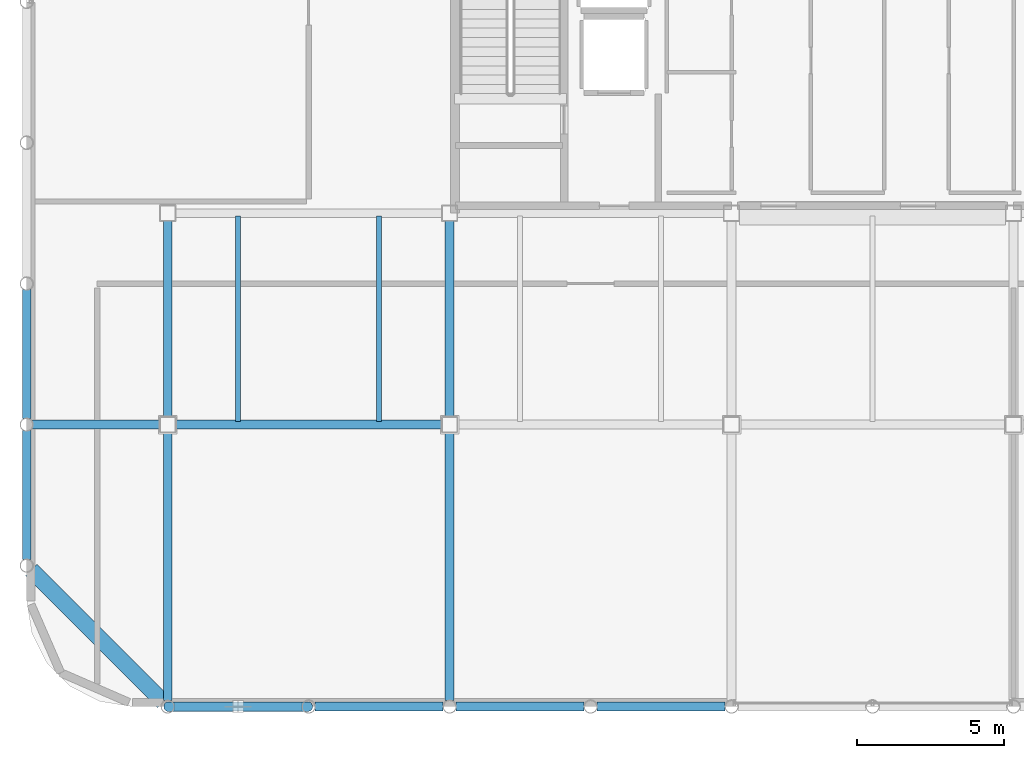
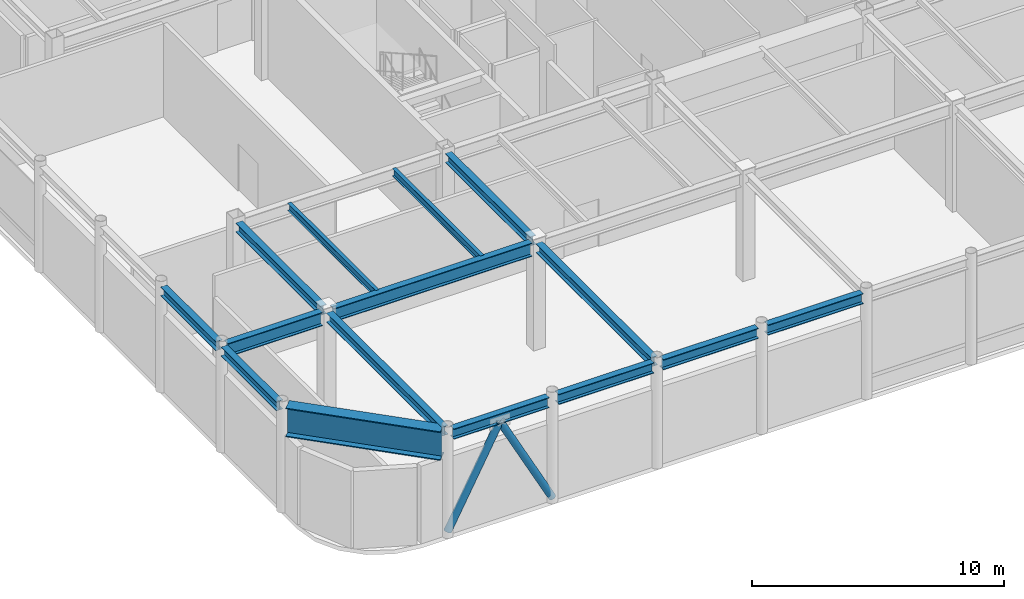
# One storey, part 4 of 21: 15 beams, 2 members.
"""IFC4 building model written with IfcOpenShell, lengths in metres."""

from ifc_helpers import new_model, si_unit, direction, frame, origin, origin_2d, place, context, subcontext, project, spatial, hollow_circle, i_section, extrude, material, material_profile, profile_set, type_object, element, save


model = new_model("IFC4")

# Units and contexts
model_context = context("Model", 3, precision=1e-05, world=origin(), true_north=direction((0.0, 1.0)))
body_context = subcontext(model_context, "Body", "Model", "MODEL_VIEW")
ifc_project = project(units=[si_unit("LENGTHUNIT", "METRE"), si_unit("AREAUNIT", "SQUARE_METRE"), si_unit("VOLUMEUNIT", "CUBIC_METRE"), si_unit("PLANEANGLEUNIT", "RADIAN"), si_unit("MASSUNIT", "GRAM", prefix="KILO")], contexts=[model_context])

# Site, building, storey
site_placement = place(None, origin())
site = spatial("IfcSite", under=ifc_project, at=site_placement, CompositionType="ELEMENT")
building_placement = place(site_placement, origin())
building = spatial("IfcBuilding", under=site, at=building_placement, Name="Kallvorn Hotel Tower", CompositionType="ELEMENT")
storey_placement = place(building_placement, frame((0.0, 0.0, 300.60009765625)))
storey = spatial("IfcBuildingStorey", under=building, at=storey_placement, Name="L74", CompositionType="ELEMENT", Elevation=300.60009765625)

# Beams
ifc_material_1 = material(Name="Structural steel S355JR", Category="steel")
ifc_material_profile_1 = material_profile(ifc_material_1, i_section(OverallWidth=0.300048828125, OverallDepth=0.43994140625, WebThickness=0.011474609375, FlangeThickness=0.02099609375, at=origin_2d()), Name="HE 450 A")
ifc_profile_set_1 = profile_set([ifc_material_profile_1], Name="Structural steel S355JR")
beam_type_1 = type_object("IfcBeamType", Name="BM_HE450A", PredefinedType="BEAM", material=ifc_profile_set_1)
for number, where, z_axis, x_axis, name in (
    (1, (-28.800048828125, -18.99658203125, 4.93994140625), (0.0, 1.0, 0.0), (-1.0, 0.0, 0.0), "ROOF Primary Y-Girder 25"),
    (2, (-28.800048828125, -14.196533203125, 4.93994140625), (0.0, 1.0, 0.0), (-1.0, 0.0, 0.0), "ROOF Primary Y-Girder 26"),
):
    element("IfcBeam", number, at=place(storey_placement, frame(where, z_axis=z_axis, x_axis=x_axis)), inside=storey, type_object=beam_type_1, Name=name, PredefinedType="BEAM", context=body_context, shape_type="SweptSolid", body=[
        extrude(i_section(OverallWidth=0.300048828125, OverallDepth=0.43994140625, WebThickness=0.011474609375, FlangeThickness=0.02099609375, at=origin_2d()), origin(), (0.0, 0.0, 1.0), 4.39306640625),
    ])
beam_1_placement = place(storey_placement, frame((-24.0, -23.79638671875, 4.93994140625), z_axis=(0.0, 1.0, 0.0), x_axis=(-1.0, 0.0, 0.0)))
element("IfcBeam", 3, at=beam_1_placement, inside=storey, type_object=beam_type_1, Name="ROOF Primary Y-Girder 31", PredefinedType="BEAM", context=body_context, shape_type="SweptSolid", body=[
    extrude(i_section(OverallWidth=0.300048828125, OverallDepth=0.43994140625, WebThickness=0.011474609375, FlangeThickness=0.02099609375, at=origin_2d()), origin(), (0.0, 0.0, 1.0), 9.146484375),
])
beam_2_placement = place(storey_placement, frame((-24.0, -14.14990234375, 4.93994140625), z_axis=(0.0, 1.0, 0.0), x_axis=(-1.0, 0.0, 0.0)))
element("IfcBeam", 4, at=beam_2_placement, inside=storey, type_object=beam_type_1, Name="ROOF Primary Y-Girder 32", PredefinedType="BEAM", context=body_context, shape_type="SweptSolid", body=[
    extrude(i_section(OverallWidth=0.300048828125, OverallDepth=0.43994140625, WebThickness=0.011474609375, FlangeThickness=0.02099609375, at=origin_2d()), origin(), (0.0, 0.0, 1.0), 6.699951171875),
])
beam_3_placement = place(storey_placement, frame((-14.39990234375, -23.79638671875, 4.93994140625), z_axis=(0.0, 1.0, 0.0), x_axis=(-1.0, 0.0, 0.0)))
element("IfcBeam", 5, at=beam_3_placement, inside=storey, type_object=beam_type_1, Name="ROOF Primary Y-Girder 34", PredefinedType="BEAM", context=body_context, shape_type="SweptSolid", body=[
    extrude(i_section(OverallWidth=0.300048828125, OverallDepth=0.43994140625, WebThickness=0.011474609375, FlangeThickness=0.02099609375, at=origin_2d()), origin(), (0.0, 0.0, 1.0), 9.146484375),
])
beam_4_placement = place(storey_placement, frame((-14.39990234375, -14.14990234375, 4.93994140625), z_axis=(0.0, 1.0, 0.0), x_axis=(-1.0, 0.0, 0.0)))
element("IfcBeam", 6, at=beam_4_placement, inside=storey, type_object=beam_type_1, Name="ROOF Primary Y-Girder 35", PredefinedType="BEAM", context=body_context, shape_type="SweptSolid", body=[
    extrude(i_section(OverallWidth=0.300048828125, OverallDepth=0.43994140625, WebThickness=0.011474609375, FlangeThickness=0.02099609375, at=origin_2d()), origin(), (0.0, 0.0, 1.0), 6.699951171875),
])
ifc_material_2 = material(Name="Structural steel S355JR", Category="steel")
ifc_material_profile_2 = material_profile(ifc_material_2, i_section(OverallWidth=0.300048828125, OverallDepth=0.5, WebThickness=0.014404296875, FlangeThickness=0.028076171875, at=origin_2d()), Name="HE 500 B")
ifc_profile_set_2 = profile_set([ifc_material_profile_2], Name="Structural steel S355JR")
beam_type_2 = type_object("IfcBeamType", Name="BM_HE500B", PredefinedType="SPANDREL", material=ifc_profile_set_2)
for number, where, z_axis, x_axis, name in (
    (7, (-23.781494140625, -24.0, 4.909912109375), (1.0, 0.0, 0.0), (0.0, 1.0, 0.0), "ROOF Perimeter Spandrel 54"),
    (8, (-18.9814453125, -24.0, 4.909912109375), (1.0, 0.0, 0.0), (0.0, 1.0, 0.0), "ROOF Perimeter Spandrel 55"),
):
    element("IfcBeam", number, at=place(storey_placement, frame(where, z_axis=z_axis, x_axis=x_axis)), inside=storey, type_object=beam_type_2, Name=name, PredefinedType="SPANDREL", context=body_context, shape_type="SweptSolid", body=[
        extrude(i_section(OverallWidth=0.300048828125, OverallDepth=0.5, WebThickness=0.014404296875, FlangeThickness=0.028076171875, at=origin_2d()), origin(), (0.0, 0.0, 1.0), 4.363037109375),
    ])
beam_5_placement = place(storey_placement, frame((-14.181396484375, -24.0, 4.909912109375), z_axis=(1.0, 0.0, 0.0), x_axis=(0.0, 1.0, 0.0)))
element("IfcBeam", 9, at=beam_5_placement, inside=storey, type_object=beam_type_2, Name="ROOF Perimeter Spandrel 56", PredefinedType="SPANDREL", context=body_context, shape_type="SweptSolid", body=[
    extrude(i_section(OverallWidth=0.300048828125, OverallDepth=0.5, WebThickness=0.014404296875, FlangeThickness=0.028076171875, at=origin_2d()), origin(), (0.0, 0.0, 1.0), 4.36279296875),
])
beam_6_placement = place(storey_placement, frame((-9.381591796875, -24.0, 4.909912109375), z_axis=(1.0, 0.0, 0.0), x_axis=(0.0, 1.0, 0.0)))
element("IfcBeam", 10, at=beam_6_placement, inside=storey, type_object=beam_type_2, Name="ROOF Perimeter Spandrel 57", PredefinedType="SPANDREL", context=body_context, shape_type="SweptSolid", body=[
    extrude(i_section(OverallWidth=0.300048828125, OverallDepth=0.5, WebThickness=0.014404296875, FlangeThickness=0.028076171875, at=origin_2d()), origin(), (0.0, 0.0, 1.0), 4.363037109375),
])
ifc_material_3 = material(Name="Structural steel S355JR", Category="steel")
ifc_material_profile_3 = material_profile(ifc_material_3, i_section(OverallWidth=0.300048828125, OverallDepth=0.64990234375, WebThickness=0.01611328125, FlangeThickness=0.031005859375, at=origin_2d()), Name="HE 650 B")
ifc_profile_set_3 = profile_set([ifc_material_profile_3], Name="Structural steel S355JR")
beam_type_3 = type_object("IfcBeamType", Name="BM_HE650B", PredefinedType="BEAM", material=ifc_profile_set_3)
beam_7_placement = place(storey_placement, frame((-28.596435546875, -14.39990234375, 4.8349609375), z_axis=(1.0, 0.0, 0.0), x_axis=(0.0, 1.0, 0.0)))
element("IfcBeam", 11, at=beam_7_placement, inside=storey, type_object=beam_type_3, Name="ROOF Primary X-Girder 01", PredefinedType="BEAM", context=body_context, shape_type="SweptSolid", body=[
    extrude(i_section(OverallWidth=0.300048828125, OverallDepth=0.64990234375, WebThickness=0.01611328125, FlangeThickness=0.031005859375, at=origin_2d()), origin(), (0.0, 0.0, 1.0), 4.346435546875),
])
beam_8_placement = place(storey_placement, frame((-23.75, -14.39990234375, 4.8349609375), z_axis=(1.0, 0.0, 0.0), x_axis=(0.0, 1.0, 0.0)))
element("IfcBeam", 12, at=beam_8_placement, inside=storey, type_object=beam_type_3, Name="ROOF Primary X-Girder 02", PredefinedType="BEAM", context=body_context, shape_type="SweptSolid", body=[
    extrude(i_section(OverallWidth=0.300048828125, OverallDepth=0.64990234375, WebThickness=0.01611328125, FlangeThickness=0.031005859375, at=origin_2d()), origin(), (0.0, 0.0, 1.0), 9.10009765625),
])
ifc_material_4 = material(Name="Structural steel S355JR", Category="steel")
ifc_material_profile_4 = material_profile(ifc_material_4, i_section(OverallWidth=0.169921875, OverallDepth=0.360107421875, WebThickness=0.008056640625, FlangeThickness=0.0126953125, at=origin_2d()), Name="IPE 360")
ifc_profile_set_4 = profile_set([ifc_material_profile_4], Name="Structural steel S355JR")
beam_type_4 = type_object("IfcBeamType", Name="BM_IPE360", PredefinedType="JOIST", material=ifc_profile_set_4)
for number, where, z_axis, x_axis, name in (
    (13, (-21.60009765625, -14.300048828125, 4.97998046875), (0.0, 1.0, 0.0), (-1.0, 0.0, 0.0), "ROOF Secondary Composite Joist 90"),
    (14, (-16.800048828125, -14.300048828125, 4.97998046875), (0.0, 1.0, 0.0), (-1.0, 0.0, 0.0), "ROOF Secondary Composite Joist 92"),
):
    element("IfcBeam", number, at=place(storey_placement, frame(where, z_axis=z_axis, x_axis=x_axis)), inside=storey, type_object=beam_type_4, Name=name, PredefinedType="JOIST", context=body_context, shape_type="SweptSolid", body=[
        extrude(i_section(OverallWidth=0.169921875, OverallDepth=0.360107421875, WebThickness=0.008056640625, FlangeThickness=0.0126953125, at=origin_2d()), origin(), (0.0, 0.0, 1.0), 7.0),
    ])
ifc_material_5 = material(Name="Structural steel S355JR", Category="steel")
ifc_material_profile_5 = material_profile(ifc_material_5, i_section(OverallWidth=0.550048828125, OverallDepth=1.39990234375, WebThickness=0.02490234375, FlangeThickness=0.044921875, at=origin_2d()), Name="PG 1400x550x25x45")
ifc_profile_set_5 = profile_set([ifc_material_profile_5], Name="Structural steel S355JR")
beam_type_5 = type_object("IfcBeamType", Name="BM_PG_1400", PredefinedType="BEAM", material=ifc_profile_set_5)
beam_9_placement = place(storey_placement, frame((-28.6455078125, -19.3544921875, 4.4599609375), z_axis=(0.707106781187, -0.707106781187, 0.0), x_axis=(0.707106781187, 0.707106781187, 0.0)))
element("IfcBeam", 15, at=beam_9_placement, inside=storey, type_object=beam_type_5, Name="ROOF Rounded Corner Tie Beam 86", PredefinedType="BEAM", context=body_context, shape_type="SweptSolid", body=[
    extrude(i_section(OverallWidth=0.550048828125, OverallDepth=1.39990234375, WebThickness=0.02490234375, FlangeThickness=0.044921875, at=origin_2d()), origin(), (0.0, 0.0, 1.0), 6.35107421875),
])

# Members
ifc_material_6 = material(Name="Structural steel S355J2H", Category="steel")
ifc_material_profile_6 = material_profile(ifc_material_6, hollow_circle(Radius=0.161865234375, WallThickness=0.012451171875, at=origin_2d()), Name="CHS 323.9x12.5")
ifc_profile_set_6 = profile_set([ifc_material_profile_6], Name="Structural steel S355J2H")
member_type = type_object("IfcMemberType", Name="MBR_EXO_CHS323", PredefinedType="BRACE", material=ifc_profile_set_6)
for number, where, z_axis, x_axis, name in (
    (16, (-23.990478515625, -24.0, 0.197509765625), (0.468947795809, 0.0, 0.883225885493), (0.0, 1.0, 0.0), "L74 Exoskeleton K-Brace S1A"),
    (17, (-19.20947265625, -24.0, 0.197509765625), (-0.468947795809, 0.0, 0.883225885493), (0.0, -1.0, 0.0), "L74 Exoskeleton K-Brace S1B"),
):
    element("IfcMember", number, at=place(storey_placement, frame(where, z_axis=z_axis, x_axis=x_axis)), inside=storey, type_object=member_type, Name=name, PredefinedType="BRACE", context=body_context, shape_type="SweptSolid", body=[
        extrude(hollow_circle(Radius=0.161865234375, WallThickness=0.012451171875, at=origin_2d()), origin(), (0.0, 0.0, 1.0), 5.07763671875),
    ])

save(model, "model.ifc")
